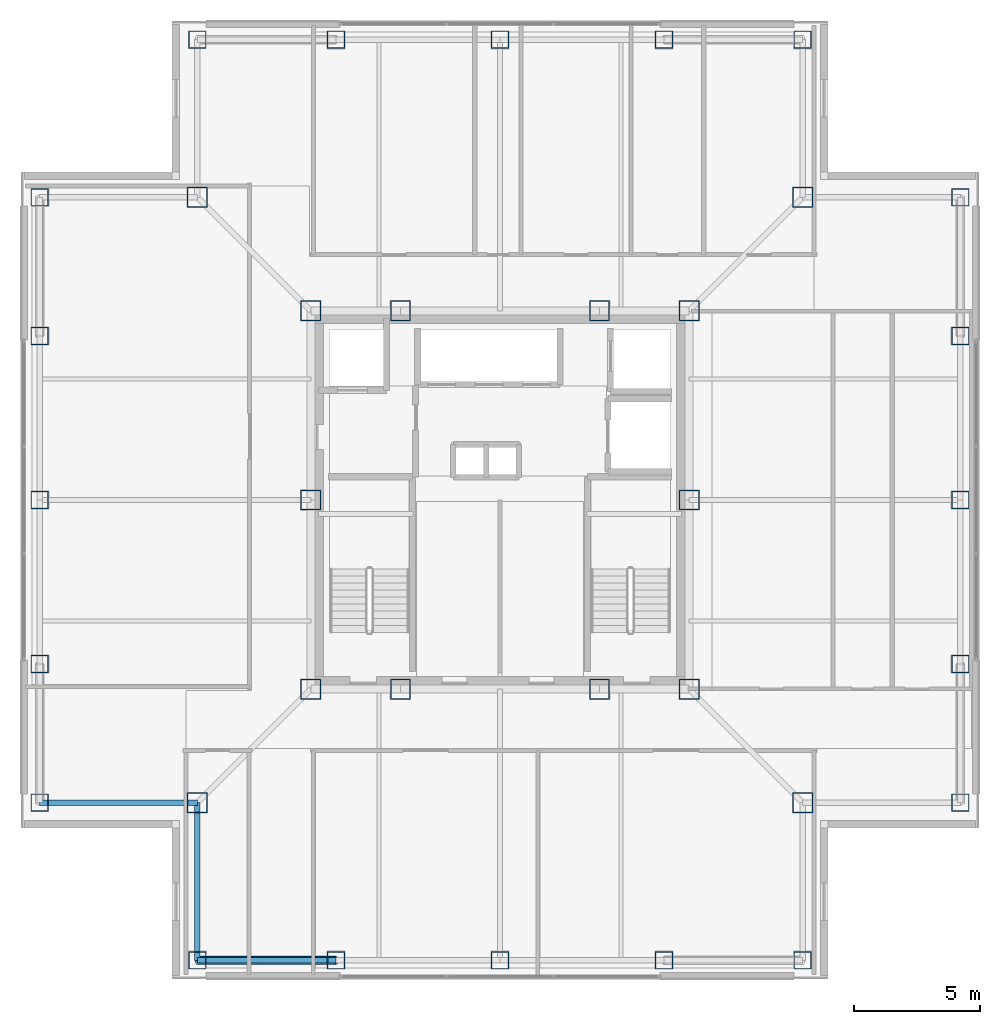
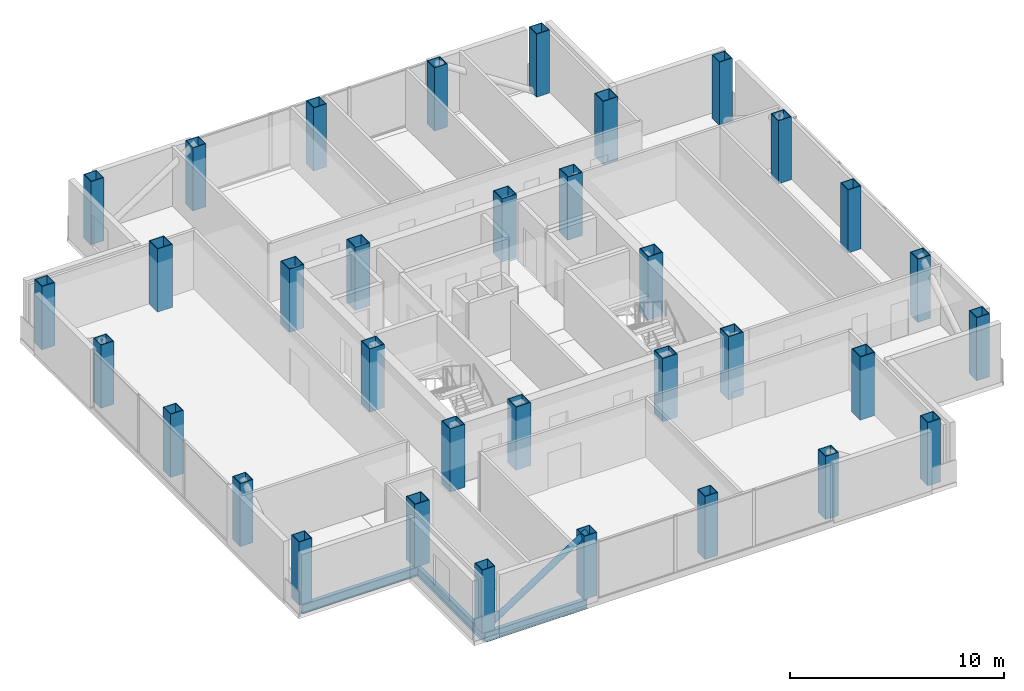
# One storey, part 1 of 16: 34 columns, 3 beams, 1 member.
"""IFC4 building model written with IfcOpenShell, lengths in metres."""

from ifc_helpers import new_model, si_unit, direction, frame, origin, origin_2d, place, context, subcontext, project, spatial, hollow_rectangle, hollow_circle, i_section, extrude, material, material_profile, profile_set, type_object, element, save


model = new_model("IFC4")

# Units and contexts
model_context = context("Model", 3, precision=1e-05, world=origin(), true_north=direction((0.0, 1.0)))
body_context = subcontext(model_context, "Body", "Model", "MODEL_VIEW")
ifc_project = project(units=[si_unit("LENGTHUNIT", "METRE"), si_unit("AREAUNIT", "SQUARE_METRE"), si_unit("VOLUMEUNIT", "CUBIC_METRE"), si_unit("PLANEANGLEUNIT", "RADIAN"), si_unit("MASSUNIT", "GRAM", prefix="KILO")], contexts=[model_context])

# Site, building, storey
site_placement = place(None, origin())
site = spatial("IfcSite", under=ifc_project, at=site_placement, CompositionType="ELEMENT")
building_placement = place(site_placement, origin())
building = spatial("IfcBuilding", under=site, at=building_placement, Name="Trevonay Congress Spire", CompositionType="ELEMENT")
storey_placement = place(building_placement, frame((0.0, 0.0, 268.39990234375)))
storey = spatial("IfcBuildingStorey", under=building, at=storey_placement, Name="L70", CompositionType="ELEMENT", Elevation=268.39990234375)

# Columns
ifc_material_1 = material(Name="Steel ASTM A572 Grade 50", Category="steel")
ifc_material_profile_1 = material_profile(ifc_material_1, hollow_rectangle(XDim=0.800048828125, YDim=0.800048828125, WallThickness=0.0400390625, at=origin_2d()), Name="BOX 800x800x40")
ifc_profile_set_1 = profile_set([ifc_material_profile_1], Name="Steel ASTM A572 Grade 50")
column_type_1 = type_object("IfcColumnType", Name="COL-CORE-BOX800", PredefinedType="COLUMN", material=ifc_profile_set_1)
for number, where, z_axis, x_axis, name in (
    (1, (-7.5, -7.5, 0.0), (0.0, 0.0, 1.0), (1.0, 0.0, 0.0), "L70 column C05 at CC-SW"),
    (2, (-3.949951171875, -7.5, 0.0), (0.0, 0.0, 1.0), (1.0, 0.0, 0.0), "L70 column C05 at CC-SMW"),
    (3, (3.949951171875, -7.5, 0.0), (0.0, 0.0, 1.0), (1.0, 0.0, 0.0), "L70 column C05 at CC-SME"),
    (4, (7.5, -7.5, 0.0), (0.0, 0.0, 1.0), (1.0, 0.0, 0.0), "L70 column C05 at CC-SE"),
    (5, (7.5, 0.0, 0.0), (0.0, 0.0, 1.0), (1.0, 0.0, 0.0), "L70 column C05 at CC-E"),
    (6, (7.5, 7.5, 0.0), (0.0, 0.0, 1.0), (1.0, 0.0, 0.0), "L70 column C05 at CC-NE"),
    (7, (3.949951171875, 7.5, 0.0), (0.0, 0.0, 1.0), (1.0, 0.0, 0.0), "L70 column C05 at CC-NME"),
    (8, (-3.949951171875, 7.5, 0.0), (0.0, 0.0, 1.0), (1.0, 0.0, 0.0), "L70 column C05 at CC-NMW"),
    (9, (-7.5, 7.5, 0.0), (0.0, 0.0, 1.0), (1.0, 0.0, 0.0), "L70 column C05 at CC-NW"),
    (10, (-7.5, 0.0, 0.0), (0.0, 0.0, 1.0), (1.0, 0.0, 0.0), "L70 column C05 at CC-W"),
):
    element("IfcColumn", number, at=place(storey_placement, frame(where, z_axis=z_axis, x_axis=x_axis)), inside=storey, type_object=column_type_1, Name=name, PredefinedType="COLUMN", context=body_context, shape_type="SweptSolid", body=[
        extrude(hollow_rectangle(XDim=0.800048828125, YDim=0.800048828125, WallThickness=0.0400390625, at=origin_2d()), origin(), (0.0, 0.0, 1.0), 3.60009765625),
    ])
ifc_material_profile_2 = material_profile(ifc_material_1, hollow_rectangle(XDim=0.699951171875, YDim=0.699951171875, WallThickness=0.034912109375, at=origin_2d()), Name="BOX 700x700x35")
ifc_profile_set_2 = profile_set([ifc_material_profile_2], Name="Steel ASTM A572 Grade 50")
column_type_2 = type_object("IfcColumnType", Name="COL-TUBE-BOX700", PredefinedType="COLUMN", material=ifc_profile_set_2)
for number, where, z_axis, x_axis, name in (
    (11, (-12.0, -18.25, 0.0), (0.0, 0.0, 1.0), (1.0, 0.0, 0.0), "L70 column C17 at TS-1"),
    (12, (-12.0, 18.25, 0.0), (0.0, 0.0, 1.0), (1.0, 0.0, 0.0), "L70 column C17 at TN-1"),
    (13, (-18.25, -12.0, 0.0), (0.0, 0.0, 1.0), (1.0, 0.0, 0.0), "L70 column C17 at TW-1"),
    (14, (18.25, -12.0, 0.0), (0.0, 0.0, 1.0), (1.0, 0.0, 0.0), "L70 column C17 at TE-1"),
    (15, (-6.5, -18.25, 0.0), (0.0, 0.0, 1.0), (1.0, 0.0, 0.0), "L70 column C17 at TS-2"),
    (16, (-6.5, 18.25, 0.0), (0.0, 0.0, 1.0), (1.0, 0.0, 0.0), "L70 column C17 at TN-2"),
    (17, (-18.25, -6.5, 0.0), (0.0, 0.0, 1.0), (1.0, 0.0, 0.0), "L70 column C17 at TW-2"),
    (18, (18.25, -6.5, 0.0), (0.0, 0.0, 1.0), (1.0, 0.0, 0.0), "L70 column C17 at TE-2"),
    (19, (0.0, -18.25, 0.0), (0.0, 0.0, 1.0), (1.0, 0.0, 0.0), "L70 column C17 at TS-3"),
    (20, (0.0, 18.25, 0.0), (0.0, 0.0, 1.0), (1.0, 0.0, 0.0), "L70 column C17 at TN-3"),
    (21, (-18.25, 0.0, 0.0), (0.0, 0.0, 1.0), (1.0, 0.0, 0.0), "L70 column C17 at TW-3"),
    (22, (18.25, 0.0, 0.0), (0.0, 0.0, 1.0), (1.0, 0.0, 0.0), "L70 column C17 at TE-3"),
    (23, (6.5, -18.25, 0.0), (0.0, 0.0, 1.0), (1.0, 0.0, 0.0), "L70 column C17 at TS-4"),
    (24, (6.5, 18.25, 0.0), (0.0, 0.0, 1.0), (1.0, 0.0, 0.0), "L70 column C17 at TN-4"),
    (25, (-18.25, 6.5, 0.0), (0.0, 0.0, 1.0), (1.0, 0.0, 0.0), "L70 column C17 at TW-4"),
    (26, (18.25, 6.5, 0.0), (0.0, 0.0, 1.0), (1.0, 0.0, 0.0), "L70 column C17 at TE-4"),
    (27, (12.0, -18.25, 0.0), (0.0, 0.0, 1.0), (1.0, 0.0, 0.0), "L70 column C17 at TS-5"),
    (28, (12.0, 18.25, 0.0), (0.0, 0.0, 1.0), (1.0, 0.0, 0.0), "L70 column C17 at TN-5"),
    (29, (-18.25, 12.0, 0.0), (0.0, 0.0, 1.0), (1.0, 0.0, 0.0), "L70 column C17 at TW-5"),
    (30, (18.25, 12.0, 0.0), (0.0, 0.0, 1.0), (1.0, 0.0, 0.0), "L70 column C17 at TE-5"),
):
    element("IfcColumn", number, at=place(storey_placement, frame(where, z_axis=z_axis, x_axis=x_axis)), inside=storey, type_object=column_type_2, Name=name, PredefinedType="COLUMN", context=body_context, shape_type="SweptSolid", body=[
        extrude(hollow_rectangle(XDim=0.699951171875, YDim=0.699951171875, WallThickness=0.034912109375, at=origin_2d()), origin(), (0.0, 0.0, 1.0), 3.60009765625),
    ])
ifc_material_profile_3 = material_profile(ifc_material_1, hollow_rectangle(XDim=0.800048828125, YDim=0.800048828125, WallThickness=0.0400390625, at=origin_2d()), Name="BOX 800x800x40")
ifc_profile_set_3 = profile_set([ifc_material_profile_3], Name="Steel ASTM A572 Grade 50")
column_type_3 = type_object("IfcColumnType", Name="COL-TUBE-BOX800", PredefinedType="COLUMN", material=ifc_profile_set_3)
for number, where, z_axis, x_axis, name in (
    (31, (-12.0, -12.0, 0.0), (0.0, 0.0, 1.0), (1.0, 0.0, 0.0), "L70 column C16 at NC-SW"),
    (32, (12.0, -12.0, 0.0), (0.0, 0.0, 1.0), (1.0, 0.0, 0.0), "L70 column C16 at NC-SE"),
    (33, (12.0, 12.0, 0.0), (0.0, 0.0, 1.0), (1.0, 0.0, 0.0), "L70 column C16 at NC-NE"),
    (34, (-12.0, 12.0, 0.0), (0.0, 0.0, 1.0), (1.0, 0.0, 0.0), "L70 column C16 at NC-NW"),
):
    element("IfcColumn", number, at=place(storey_placement, frame(where, z_axis=z_axis, x_axis=x_axis)), inside=storey, type_object=column_type_3, Name=name, PredefinedType="COLUMN", context=body_context, shape_type="SweptSolid", body=[
        extrude(hollow_rectangle(XDim=0.800048828125, YDim=0.800048828125, WallThickness=0.0400390625, at=origin_2d()), origin(), (0.0, 0.0, 1.0), 3.60009765625),
    ])

# Beams
ifc_material_profile_4 = material_profile(ifc_material_1, i_section(OverallWidth=0.208984375, OverallDepth=0.532958984375, WebThickness=0.01025390625, FlangeThickness=0.015625, FilletRadius=0.014892578125, at=origin_2d()), Name="W530x92")
ifc_profile_set_4 = profile_set([ifc_material_profile_4], Name="Steel ASTM A572 Grade 50")
beam_type = type_object("IfcBeamType", Name="BM-RING-W530X92", PredefinedType="BEAM", material=ifc_profile_set_4)
beam_placement = place(storey_placement, frame((-12.0, -18.25, -0.50634765625), z_axis=(1.0, 0.0, 0.0), x_axis=(0.0, 1.0, 0.0)))
element("IfcBeam", 35, at=beam_placement, inside=storey, type_object=beam_type, Name="L70 structural beam BM-L70-PS1", PredefinedType="BEAM", context=body_context, shape_type="SweptSolid", body=[
    extrude(i_section(OverallWidth=0.208984375, OverallDepth=0.532958984375, WebThickness=0.01025390625, FlangeThickness=0.015625, FilletRadius=0.014892578125, at=origin_2d()), origin(), (0.0, 0.0, 1.0), 5.5),
])
for number, where, z_axis, x_axis, name in (
    (36, (-12.0, -18.25, -0.50634765625), (0.0, 1.0, 0.0), (-1.0, 0.0, 0.0), "L70 structural beam BM-L70-N1SW"),
    (37, (-18.25, -12.0, -0.50634765625), (1.0, 0.0, 0.0), (0.0, 1.0, 0.0), "L70 structural beam BM-L70-N2SW"),
):
    element("IfcBeam", number, at=place(storey_placement, frame(where, z_axis=z_axis, x_axis=x_axis)), inside=storey, type_object=beam_type, Name=name, PredefinedType="BEAM", context=body_context, shape_type="SweptSolid", body=[
        extrude(i_section(OverallWidth=0.208984375, OverallDepth=0.532958984375, WebThickness=0.01025390625, FlangeThickness=0.015625, FilletRadius=0.014892578125, at=origin_2d()), origin(), (0.0, 0.0, 1.0), 6.25),
    ])

# Member
ifc_material_2 = material(Name="Steel ASTM A500 Grade C", Category="steel")
ifc_material_profile_5 = material_profile(ifc_material_2, hollow_circle(Radius=0.161865234375, WallThickness=0.01611328125, at=origin_2d()), Name="CHS 323.9x16")
ifc_profile_set_5 = profile_set([ifc_material_profile_5], Name="Steel ASTM A500 Grade C")
member_type = type_object("IfcMemberType", Name="MBR-TUBE-CHS324", PredefinedType="BRACE", material=ifc_profile_set_5)
member_placement = place(storey_placement, frame((-12.0, -18.25, -0.0498046875), z_axis=(0.836711728151, 0.0, 0.547643573845), x_axis=(0.0, 1.0, 0.0)))
element("IfcMember", 38, at=member_placement, inside=storey, type_object=member_type, Name="L70 perimeter braced-tube diagonal S0", PredefinedType="BRACE", context=body_context, shape_type="SweptSolid", body=[
    extrude(hollow_circle(Radius=0.161865234375, WallThickness=0.01611328125, at=origin_2d()), origin(), (0.0, 0.0, 1.0), 6.5732421875),
])

save(model, "model.ifc")
